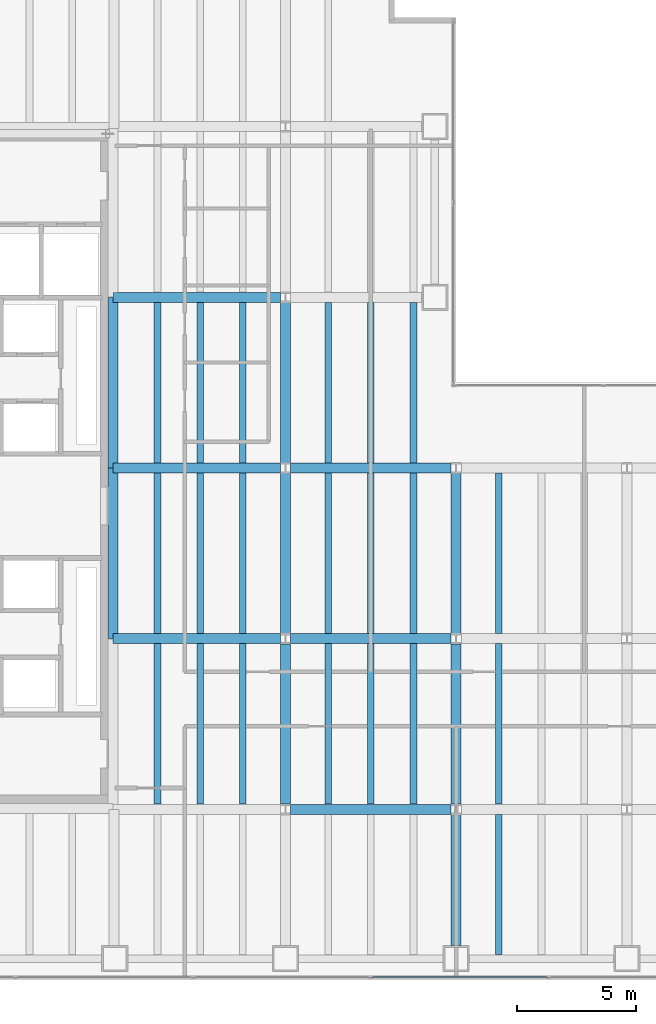
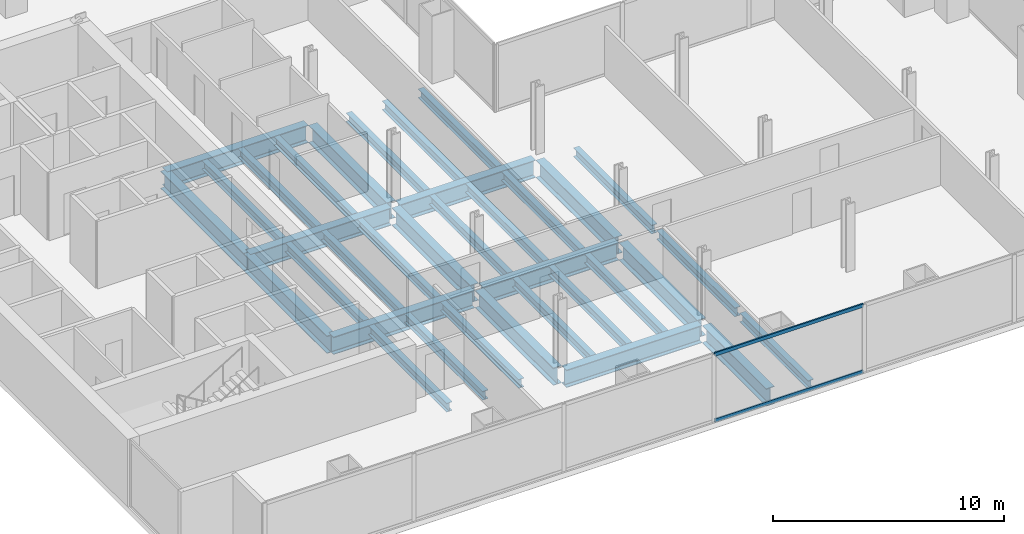
# One storey, part 5 of 23: 35 beams, 2 members, 1 element without a shape of its own.
"""IFC4 building model written with IfcOpenShell, lengths in metres."""

from ifc_helpers import new_model, si_unit, direction, frame, origin, origin_2d, place, context, subcontext, project, spatial, hollow_rectangle, i_section, extrude, material, material_profile, profile_set, type_object, element, aggregate, save


model = new_model("IFC4")

# Units and contexts
model_context = context("Model", 3, precision=1e-05, world=origin(), true_north=direction((0.0, 1.0)))
body_context = subcontext(model_context, "Body", "Model", "MODEL_VIEW")
ifc_project = project(units=[si_unit("LENGTHUNIT", "METRE"), si_unit("AREAUNIT", "SQUARE_METRE"), si_unit("VOLUMEUNIT", "CUBIC_METRE"), si_unit("PLANEANGLEUNIT", "RADIAN"), si_unit("MASSUNIT", "GRAM", prefix="KILO")], contexts=[model_context])

# Site, building, storey
site_placement = place(None, origin())
site = spatial("IfcSite", under=ifc_project, at=site_placement, CompositionType="ELEMENT")
building_placement = place(site_placement, origin())
building = spatial("IfcBuilding", under=site, at=building_placement, Name="Cobrela Telecom Tower", CompositionType="ELEMENT")
storey_placement = place(building_placement, frame((0.0, 0.0, 38.85009765625)))
storey = spatial("IfcBuildingStorey", under=building, at=storey_placement, Name="L09", CompositionType="ELEMENT", Elevation=38.85009765625)

# Beams
ifc_material_1 = material(Name="Steel ASTM A992 Grade 50", Category="steel")
ifc_material_profile_1 = material_profile(ifc_material_1, i_section(OverallWidth=0.4189453125, OverallDepth=0.927001953125, WebThickness=0.019287109375, FlangeThickness=0.031982421875, FilletRadius=0.02392578125, at=origin_2d()), Name="W36X231")
ifc_profile_set_1 = profile_set([ifc_material_profile_1], Name="Steel ASTM A992 Grade 50")
beam_type_1 = type_object("IfcBeamType", Name="BM-GIRD-02", PredefinedType="USERDEFINED", material=ifc_profile_set_1)
beam_1_placement = place(storey_placement, frame((21.81591796875, 7.199951171875, -0.74365234375), z_axis=(1.0, 0.0, 0.0), x_axis=(0.0, 1.0, 0.0)))
element("IfcBeam", 1, at=beam_1_placement, inside=storey, type_object=beam_type_1, Name="L09 Primary Girder X09", ObjectType="GIRDER", PredefinedType="USERDEFINED", context=body_context, shape_type="SweptSolid", body=[
    extrude(i_section(OverallWidth=0.4189453125, OverallDepth=0.927001953125, WebThickness=0.019287109375, FlangeThickness=0.031982421875, FilletRadius=0.02392578125, at=origin_2d()), origin(), (0.0, 0.0, 1.0), 6.76806640625),
])
beam_2_placement = place(storey_placement, frame((14.324951171875, 14.39990234375, -0.74365234375), z_axis=(1.0, 0.0, 0.0), x_axis=(0.0, 1.0, 0.0)))
element("IfcBeam", 2, at=beam_2_placement, inside=storey, type_object=beam_type_1, Name="L09 Primary Girder X13", ObjectType="GIRDER", PredefinedType="USERDEFINED", context=body_context, shape_type="SweptSolid", body=[
    extrude(i_section(OverallWidth=0.4189453125, OverallDepth=0.927001953125, WebThickness=0.019287109375, FlangeThickness=0.031982421875, FilletRadius=0.02392578125, at=origin_2d()), origin(), (0.0, 0.0, 1.0), 7.05908203125),
])
beam_3_placement = place(storey_placement, frame((21.81591796875, 14.39990234375, -0.74365234375), z_axis=(1.0, 0.0, 0.0), x_axis=(0.0, 1.0, 0.0)))
element("IfcBeam", 3, at=beam_3_placement, inside=storey, type_object=beam_type_1, Name="L09 Primary Girder X14", ObjectType="GIRDER", PredefinedType="USERDEFINED", context=body_context, shape_type="SweptSolid", body=[
    extrude(i_section(OverallWidth=0.4189453125, OverallDepth=0.927001953125, WebThickness=0.019287109375, FlangeThickness=0.031982421875, FilletRadius=0.02392578125, at=origin_2d()), origin(), (0.0, 0.0, 1.0), 6.76806640625),
])
beam_4_placement = place(storey_placement, frame((14.324951171875, 21.60009765625, -0.74365234375), z_axis=(1.0, 0.0, 0.0), x_axis=(0.0, 1.0, 0.0)))
element("IfcBeam", 4, at=beam_4_placement, inside=storey, type_object=beam_type_1, Name="L09 Primary Girder X18", ObjectType="GIRDER", PredefinedType="USERDEFINED", context=body_context, shape_type="SweptSolid", body=[
    extrude(i_section(OverallWidth=0.4189453125, OverallDepth=0.927001953125, WebThickness=0.019287109375, FlangeThickness=0.031982421875, FilletRadius=0.02392578125, at=origin_2d()), origin(), (0.0, 0.0, 1.0), 7.05908203125),
])
beam_5_placement = place(storey_placement, frame((21.81591796875, 21.60009765625, -0.74365234375), z_axis=(1.0, 0.0, 0.0), x_axis=(0.0, 1.0, 0.0)))
element("IfcBeam", 5, at=beam_5_placement, inside=storey, type_object=beam_type_1, Name="L09 Primary Girder X19", ObjectType="GIRDER", PredefinedType="USERDEFINED", context=body_context, shape_type="SweptSolid", body=[
    extrude(i_section(OverallWidth=0.4189453125, OverallDepth=0.927001953125, WebThickness=0.019287109375, FlangeThickness=0.031982421875, FilletRadius=0.02392578125, at=origin_2d()), origin(), (0.0, 0.0, 1.0), 6.76806640625),
])
beam_6_placement = place(storey_placement, frame((14.324951171875, 28.800048828125, -0.74365234375), z_axis=(1.0, 0.0, 0.0), x_axis=(0.0, 1.0, 0.0)))
element("IfcBeam", 6, at=beam_6_placement, inside=storey, type_object=beam_type_1, Name="L09 Primary Girder X23", ObjectType="GIRDER", PredefinedType="USERDEFINED", context=body_context, shape_type="SweptSolid", body=[
    extrude(i_section(OverallWidth=0.4189453125, OverallDepth=0.927001953125, WebThickness=0.019287109375, FlangeThickness=0.031982421875, FilletRadius=0.02392578125, at=origin_2d()), origin(), (0.0, 0.0, 1.0), 7.05908203125),
])
for number, where, z_axis, x_axis, name in (
    (7, (14.320068359375, 14.405029296875, -0.74365234375), (0.0, 1.0, 0.0), (-1.0, 0.0, 0.0), "L09 Primary Girder Y36"),
    (8, (14.320068359375, 21.60498046875, -0.74365234375), (0.0, 1.0, 0.0), (-1.0, 0.0, 0.0), "L09 Primary Girder Y37"),
):
    element("IfcBeam", number, at=place(storey_placement, frame(where, z_axis=z_axis, x_axis=x_axis)), inside=storey, type_object=beam_type_1, Name=name, ObjectType="GIRDER", PredefinedType="USERDEFINED", context=body_context, shape_type="SweptSolid", body=[
        extrude(i_section(OverallWidth=0.4189453125, OverallDepth=0.927001953125, WebThickness=0.019287109375, FlangeThickness=0.031982421875, FilletRadius=0.02392578125, at=origin_2d()), origin(), (0.0, 0.0, 1.0), 7.18994140625),
    ])
for number, where, z_axis, x_axis, name in (
    (9, (21.60009765625, 7.416015625, -0.74365234375), (0.0, 1.0, 0.0), (-1.0, 0.0, 0.0), "L09 Primary Girder Y41"),
    (10, (21.60009765625, 14.615966796875, -0.74365234375), (0.0, 1.0, 0.0), (-1.0, 0.0, 0.0), "L09 Primary Girder Y42"),
    (11, (21.60009765625, 21.81591796875, -0.74365234375), (0.0, 1.0, 0.0), (-1.0, 0.0, 0.0), "L09 Primary Girder Y43"),
):
    element("IfcBeam", number, at=place(storey_placement, frame(where, z_axis=z_axis, x_axis=x_axis)), inside=storey, type_object=beam_type_1, Name=name, ObjectType="GIRDER", PredefinedType="USERDEFINED", context=body_context, shape_type="SweptSolid", body=[
        extrude(i_section(OverallWidth=0.4189453125, OverallDepth=0.927001953125, WebThickness=0.019287109375, FlangeThickness=0.031982421875, FilletRadius=0.02392578125, at=origin_2d()), origin(), (0.0, 0.0, 1.0), 6.76806640625),
    ])
beam_7_placement = place(storey_placement, frame((28.800048828125, 1.455078125, -0.74365234375), z_axis=(0.0, 1.0, 0.0), x_axis=(-1.0, 0.0, 0.0)))
element("IfcBeam", 12, at=beam_7_placement, inside=storey, type_object=beam_type_1, Name="L09 Primary Girder Y47", ObjectType="GIRDER", PredefinedType="USERDEFINED", context=body_context, shape_type="SweptSolid", body=[
    extrude(i_section(OverallWidth=0.4189453125, OverallDepth=0.927001953125, WebThickness=0.019287109375, FlangeThickness=0.031982421875, FilletRadius=0.02392578125, at=origin_2d()), origin(), (0.0, 0.0, 1.0), 5.52880859375),
])
for number, where, z_axis, x_axis, name in (
    (13, (28.800048828125, 7.416015625, -0.74365234375), (0.0, 1.0, 0.0), (-1.0, 0.0, 0.0), "L09 Primary Girder Y48"),
    (14, (28.800048828125, 14.615966796875, -0.74365234375), (0.0, 1.0, 0.0), (-1.0, 0.0, 0.0), "L09 Primary Girder Y49"),
):
    element("IfcBeam", number, at=place(storey_placement, frame(where, z_axis=z_axis, x_axis=x_axis)), inside=storey, type_object=beam_type_1, Name=name, ObjectType="GIRDER", PredefinedType="USERDEFINED", context=body_context, shape_type="SweptSolid", body=[
        extrude(i_section(OverallWidth=0.4189453125, OverallDepth=0.927001953125, WebThickness=0.019287109375, FlangeThickness=0.031982421875, FilletRadius=0.02392578125, at=origin_2d()), origin(), (0.0, 0.0, 1.0), 6.76806640625),
    ])
ifc_material_profile_2 = material_profile(ifc_material_1, i_section(OverallWidth=0.281982421875, OverallDepth=0.467041015625, WebThickness=0.01220703125, FlangeThickness=0.01953125, FilletRadius=0.012939453125, at=origin_2d()), Name="W18X86")
ifc_profile_set_2 = profile_set([ifc_material_profile_2], Name="Steel ASTM A992 Grade 50")
beam_type_2 = type_object("IfcBeamType", Name="BM-JOIST-02", PredefinedType="JOIST", material=ifc_profile_set_2)
for number, where, z_axis, x_axis, name in (
    (15, (16.199951171875, 7.41455078125, -0.513671875), (0.0, 1.0, 0.0), (-1.0, 0.0, 0.0), "L09 Secondary Composite Floor Beam J08"),
    (16, (16.199951171875, 14.614501953125, -0.513671875), (0.0, 1.0, 0.0), (-1.0, 0.0, 0.0), "L09 Secondary Composite Floor Beam J09"),
    (17, (16.199951171875, 21.814453125, -0.513671875), (0.0, 1.0, 0.0), (-1.0, 0.0, 0.0), "L09 Secondary Composite Floor Beam J10"),
    (18, (18.0, 7.41455078125, -0.513671875), (0.0, 1.0, 0.0), (-1.0, 0.0, 0.0), "L09 Secondary Composite Floor Beam J14"),
    (19, (18.0, 14.614501953125, -0.513671875), (0.0, 1.0, 0.0), (-1.0, 0.0, 0.0), "L09 Secondary Composite Floor Beam J15"),
    (20, (18.0, 21.814453125, -0.513671875), (0.0, 1.0, 0.0), (-1.0, 0.0, 0.0), "L09 Secondary Composite Floor Beam J16"),
    (21, (19.800048828125, 7.41455078125, -0.513671875), (0.0, 1.0, 0.0), (-1.0, 0.0, 0.0), "L09 Secondary Composite Floor Beam J20"),
    (22, (19.800048828125, 14.614501953125, -0.513671875), (0.0, 1.0, 0.0), (-1.0, 0.0, 0.0), "L09 Secondary Composite Floor Beam J21"),
    (23, (19.800048828125, 21.814453125, -0.513671875), (0.0, 1.0, 0.0), (-1.0, 0.0, 0.0), "L09 Secondary Composite Floor Beam J22"),
    (24, (23.39990234375, 7.41455078125, -0.513671875), (0.0, 1.0, 0.0), (-1.0, 0.0, 0.0), "L09 Secondary Composite Floor Beam J26"),
    (25, (23.39990234375, 14.614501953125, -0.513671875), (0.0, 1.0, 0.0), (-1.0, 0.0, 0.0), "L09 Secondary Composite Floor Beam J27"),
    (26, (23.39990234375, 21.814453125, -0.513671875), (0.0, 1.0, 0.0), (-1.0, 0.0, 0.0), "L09 Secondary Composite Floor Beam J28"),
    (27, (25.199951171875, 7.41455078125, -0.513671875), (0.0, 1.0, 0.0), (-1.0, 0.0, 0.0), "L09 Secondary Composite Floor Beam J32"),
    (28, (25.199951171875, 14.614501953125, -0.513671875), (0.0, 1.0, 0.0), (-1.0, 0.0, 0.0), "L09 Secondary Composite Floor Beam J33"),
    (29, (25.199951171875, 21.814453125, -0.513671875), (0.0, 1.0, 0.0), (-1.0, 0.0, 0.0), "L09 Secondary Composite Floor Beam J34"),
    (30, (27.0, 7.41455078125, -0.513671875), (0.0, 1.0, 0.0), (-1.0, 0.0, 0.0), "L09 Secondary Composite Floor Beam J37"),
    (31, (27.0, 14.614501953125, -0.513671875), (0.0, 1.0, 0.0), (-1.0, 0.0, 0.0), "L09 Secondary Composite Floor Beam J38"),
    (32, (27.0, 21.814453125, -0.513671875), (0.0, 1.0, 0.0), (-1.0, 0.0, 0.0), "L09 Secondary Composite Floor Beam J39"),
):
    element("IfcBeam", number, at=place(storey_placement, frame(where, z_axis=z_axis, x_axis=x_axis)), inside=storey, type_object=beam_type_2, Name=name, PredefinedType="JOIST", context=body_context, shape_type="SweptSolid", body=[
        extrude(i_section(OverallWidth=0.281982421875, OverallDepth=0.467041015625, WebThickness=0.01220703125, FlangeThickness=0.01953125, FilletRadius=0.012939453125, at=origin_2d()), origin(), (0.0, 0.0, 1.0), 6.77099609375),
    ])
beam_8_placement = place(storey_placement, frame((30.60009765625, 1.0673828125, -0.513671875), z_axis=(0.0, 1.0, 0.0), x_axis=(-1.0, 0.0, 0.0)))
element("IfcBeam", 33, at=beam_8_placement, inside=storey, type_object=beam_type_2, Name="L09 Secondary Composite Floor Beam J41", PredefinedType="JOIST", context=body_context, shape_type="SweptSolid", body=[
    extrude(i_section(OverallWidth=0.281982421875, OverallDepth=0.467041015625, WebThickness=0.01220703125, FlangeThickness=0.01953125, FilletRadius=0.012939453125, at=origin_2d()), origin(), (0.0, 0.0, 1.0), 5.918212890625),
])
for number, where, z_axis, x_axis, name in (
    (34, (30.60009765625, 7.41455078125, -0.513671875), (0.0, 1.0, 0.0), (-1.0, 0.0, 0.0), "L09 Secondary Composite Floor Beam J42"),
    (35, (30.60009765625, 14.614501953125, -0.513671875), (0.0, 1.0, 0.0), (-1.0, 0.0, 0.0), "L09 Secondary Composite Floor Beam J43"),
):
    element("IfcBeam", number, at=place(storey_placement, frame(where, z_axis=z_axis, x_axis=x_axis)), inside=storey, type_object=beam_type_2, Name=name, PredefinedType="JOIST", context=body_context, shape_type="SweptSolid", body=[
        extrude(i_section(OverallWidth=0.281982421875, OverallDepth=0.467041015625, WebThickness=0.01220703125, FlangeThickness=0.01953125, FilletRadius=0.012939453125, at=origin_2d()), origin(), (0.0, 0.0, 1.0), 6.77099609375),
    ])

# Curtain wall, members
ifc_material_2 = material(Name="Anodized Bronze Aluminium 6063-T6", Category="aluminium")
curtain_wall_type = type_object("IfcCurtainWallType", Name="CW-SYS-DATA", PredefinedType="USERDEFINED", material=ifc_material_2)
curtain_wall_placement = place(storey_placement, origin())
curtain_wall = element("IfcCurtainWall", 36, at=curtain_wall_placement, inside=storey, type_object=curtain_wall_type, Name="L09 Unitised Bronze Curtain Wall 17", ObjectType="UNITISED CURTAIN WALL", PredefinedType="USERDEFINED")
ifc_material_profile_3 = material_profile(ifc_material_2, hollow_rectangle(XDim=0.074951171875, YDim=0.179931640625, WallThickness=0.00390625, at=origin_2d()), Name="ALU 75x180x4")
ifc_profile_set_3 = profile_set([ifc_material_profile_3], Name="Anodized Bronze Aluminium 6063-T6")
member_type = type_object("IfcMemberType", Name="CW-SYS-DATA-TRN", PredefinedType="USERDEFINED", material=ifc_profile_set_3)
member_1_placement = place(storey_placement, frame((32.65673828125, 0.1201171875, 0.037353515625), z_axis=(-1.0, 0.0, 0.0), x_axis=(0.0, -1.0, 0.0)))
member_1 = element("IfcMember", 37, at=member_1_placement, type_object=member_type, Name="CW-DATA transom 3.1", ObjectType="TRANSOM", PredefinedType="USERDEFINED", context=body_context, shape_type="SweptSolid", body=[
    extrude(hollow_rectangle(XDim=0.074951171875, YDim=0.179931640625, WallThickness=0.00390625, at=origin_2d()), origin(), (0.0, 0.0, 1.0), 7.416748046875),
])
member_2_placement = place(storey_placement, frame((32.65673828125, 0.1201171875, 3.532470703125), z_axis=(-1.0, 0.0, 0.0), x_axis=(0.0, -1.0, 0.0)))
member_2 = element("IfcMember", 38, at=member_2_placement, type_object=member_type, Name="CW-DATA transom 3.2", ObjectType="TRANSOM", PredefinedType="USERDEFINED", context=body_context, shape_type="SweptSolid", body=[
    extrude(hollow_rectangle(XDim=0.074951171875, YDim=0.179931640625, WallThickness=0.00390625, at=origin_2d()), origin(), (0.0, 0.0, 1.0), 7.416748046875),
])
aggregate(curtain_wall, [member_1, member_2])

save(model, "model.ifc")
